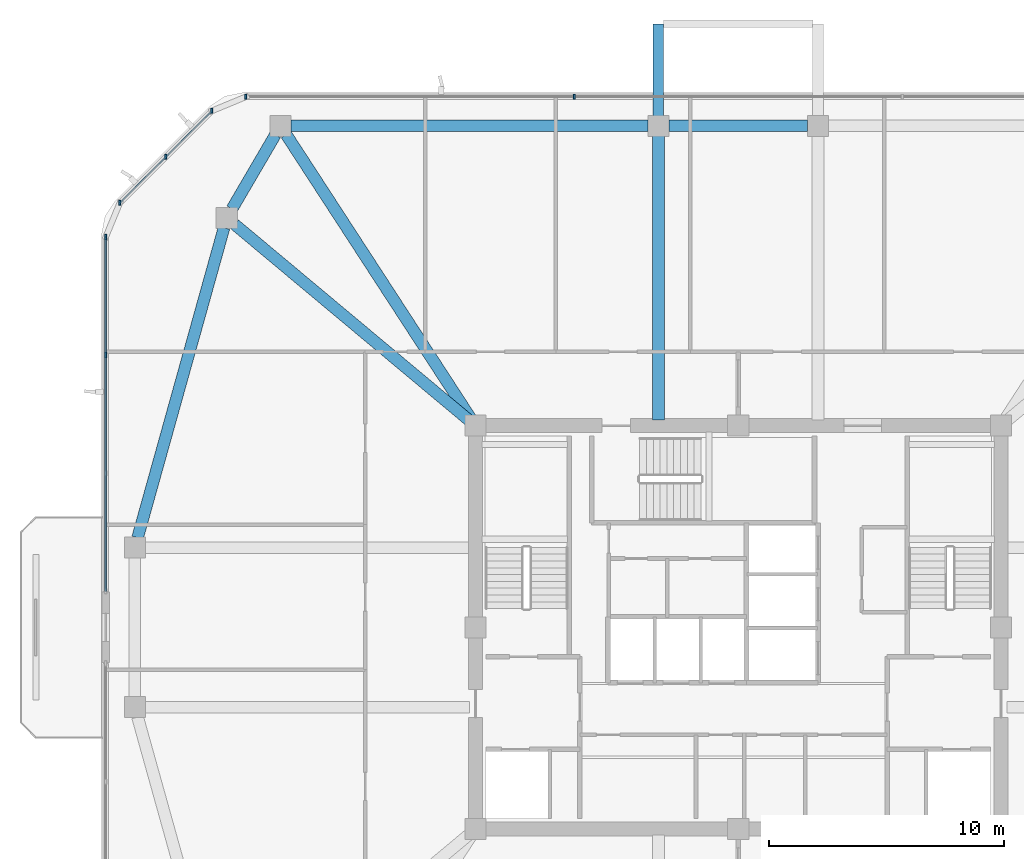
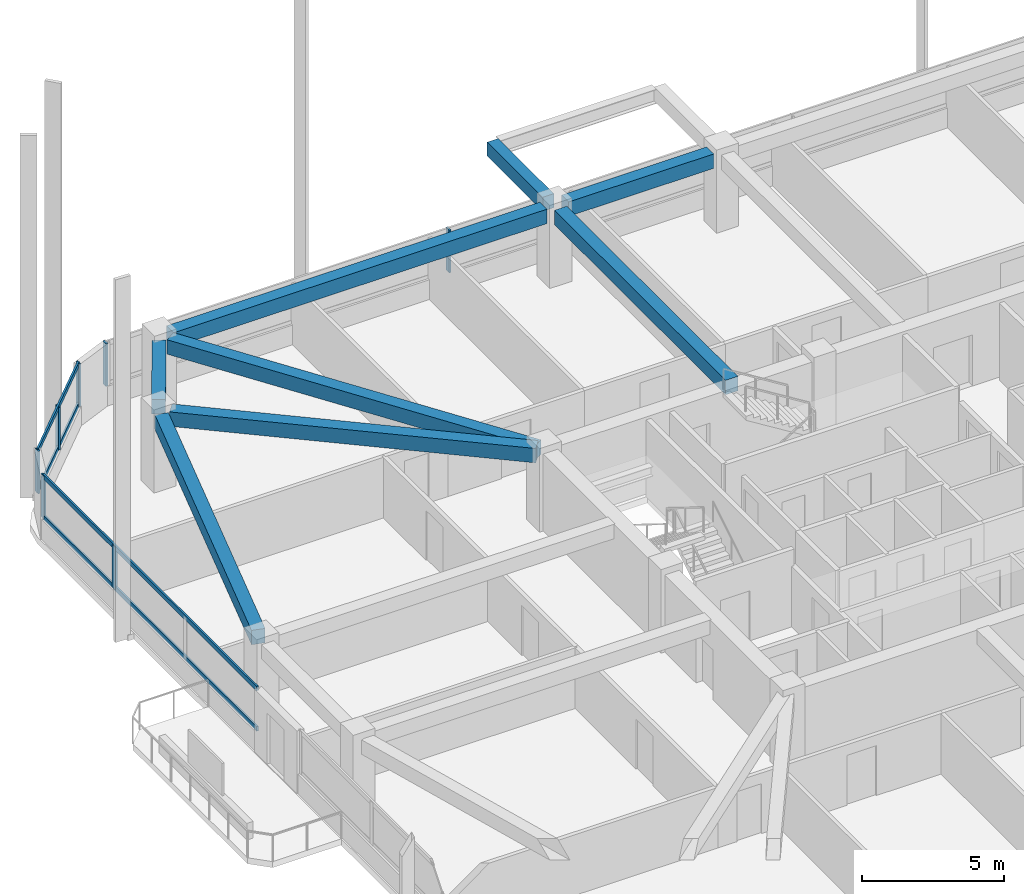
# One storey, part 6 of 17: 11 members, 8 beams, 3 elements without a shape of their own.
"""IFC4 building model written with IfcOpenShell, lengths in metres."""

from ifc_helpers import new_model, si_unit, derived_unit, direction, frame, origin, origin_2d, place, context, subcontext, project, spatial, rectangle, extrude, material, material_profile, profile_set, type_object, element, aggregate, save


model = new_model("IFC4")

# Units and contexts
model_context = context("Model", 3, precision=1e-05, world=origin(), true_north=direction((0.0, 1.0)))
body_context = subcontext(model_context, "Body", "Model", "MODEL_VIEW")
ifc_project = project(units=[si_unit("LENGTHUNIT", "METRE"), si_unit("AREAUNIT", "SQUARE_METRE"), si_unit("VOLUMEUNIT", "CUBIC_METRE"), si_unit("PLANEANGLEUNIT", "RADIAN"), si_unit("MASSUNIT", "GRAM", prefix="KILO"), derived_unit("THERMALTRANSMITTANCEUNIT", [(si_unit("POWERUNIT", "WATT"), 1), (si_unit("LENGTHUNIT", "METRE"), -2), (si_unit("THERMODYNAMICTEMPERATUREUNIT", "KELVIN"), -1)])], contexts=[model_context])

# Site, building, storey
site_placement = place(None, origin())
site = spatial("IfcSite", under=ifc_project, at=site_placement, CompositionType="ELEMENT")
building_placement = place(site_placement, origin())
building = spatial("IfcBuilding", under=site, at=building_placement, Name="Koralith Skygarden Medical Center", CompositionType="ELEMENT")
storey_placement = place(building_placement, frame((0.0, 0.0, 221.580078125)))
storey = spatial("IfcBuildingStorey", under=building, at=storey_placement, Name="L57", CompositionType="ELEMENT", Elevation=221.580078125)

# Curtain wall, members
ifc_material_1 = material(Name="Clear Laminated Glass", Category="glass")
curtain_wall_type = type_object("IfcCurtainWallType", Name="CW-5 Zone 4 Flare Biophilic Curtain Wall", PredefinedType="NOTDEFINED", material=ifc_material_1)
curtain_wall_1_placement = place(storey_placement, origin())
curtain_wall_1 = element("IfcCurtainWall", 1, at=curtain_wall_1_placement, inside=storey, type_object=curtain_wall_type, Name="Curtain Wall CW-L57-N", PredefinedType="NOTDEFINED")
ifc_material_2 = material(Name="Aluminium 6063-T6", Category="aluminium")
ifc_material_profile_1 = material_profile(ifc_material_2, rectangle(XDim=0.080078125, YDim=0.219970703125, at=origin_2d()), Name="MUL80X220")
ifc_profile_set_1 = profile_set([ifc_material_profile_1], Name="Aluminium 6063-T6")
member_type_1 = type_object("IfcMemberType", Name="CW-5 Extruded Mullion 80x220", PredefinedType="MULLION", material=ifc_profile_set_1)
member_1_placement = place(storey_placement, frame((30.00390625, 48.52001953125, 0.849853515625), z_axis=(0.0, 0.0, 1.0), x_axis=(1.0, 0.0, 0.0)))
member_1 = element("IfcMember", 2, at=member_1_placement, type_object=member_type_1, Name="CW-L57-N Mullion 3", PredefinedType="MULLION", context=body_context, shape_type="SweptSolid", body=[
    extrude(rectangle(XDim=0.080078125, YDim=0.219970703125, at=origin_2d()), origin(), (0.0, 0.0, 1.0), 1.840087890625),
])
member_2_placement = place(storey_placement, frame((16.012939453125, 48.52001953125, 0.849853515625), z_axis=(0.0, 0.0, 1.0), x_axis=(1.0, 0.0, 0.0)))
member_2 = element("IfcMember", 3, at=member_2_placement, type_object=member_type_1, Name="CW-L57-N Mullion 4", PredefinedType="MULLION", context=body_context, shape_type="SweptSolid", body=[
    extrude(rectangle(XDim=0.080078125, YDim=0.219970703125, at=origin_2d()), origin(), (0.0, 0.0, 1.0), 1.840087890625),
])
aggregate(curtain_wall_1, [member_1, member_2])

curtain_wall_2_placement = place(storey_placement, origin())
curtain_wall_2 = element("IfcCurtainWall", 4, at=curtain_wall_2_placement, inside=storey, type_object=curtain_wall_type, Name="Curtain Wall CW-L57-NW", PredefinedType="NOTDEFINED")
member_3_placement = place(storey_placement, frame((14.56201171875, 47.9189453125, 0.849853515625), z_axis=(0.0, 0.0, 1.0), x_axis=(1.0, 0.0, 0.0)))
member_3 = element("IfcMember", 5, at=member_3_placement, type_object=member_type_1, Name="CW-L57-NW Mullion 1", PredefinedType="MULLION", context=body_context, shape_type="SweptSolid", body=[
    extrude(rectangle(XDim=0.080078125, YDim=0.219970703125, at=origin_2d()), origin(), (0.0, 0.0, 1.0), 1.840087890625),
])
member_4_placement = place(storey_placement, frame((12.60107421875, 45.95703125, 0.849853515625), z_axis=(0.0, 0.0, 1.0), x_axis=(1.0, 0.0, 0.0)))
member_4 = element("IfcMember", 6, at=member_4_placement, type_object=member_type_1, Name="CW-L57-NW Mullion 2", PredefinedType="MULLION", context=body_context, shape_type="SweptSolid", body=[
    extrude(rectangle(XDim=0.080078125, YDim=0.219970703125, at=origin_2d()), origin(), (0.0, 0.0, 1.0), 1.840087890625),
])
member_5_placement = place(storey_placement, frame((10.638916015625, 43.99609375, 0.849853515625), z_axis=(0.0, 0.0, 1.0), x_axis=(1.0, 0.0, 0.0)))
member_5 = element("IfcMember", 7, at=member_5_placement, type_object=member_type_1, Name="CW-L57-NW Mullion 3", PredefinedType="MULLION", context=body_context, shape_type="SweptSolid", body=[
    extrude(rectangle(XDim=0.080078125, YDim=0.219970703125, at=origin_2d()), origin(), (0.0, 0.0, 1.0), 1.840087890625),
])

curtain_wall_3_placement = place(storey_placement, origin())
curtain_wall_3 = element("IfcCurtainWall", 8, at=curtain_wall_3_placement, inside=storey, type_object=curtain_wall_type, Name="Curtain Wall CW-L57-W-L", PredefinedType="NOTDEFINED")
member_6_placement = place(storey_placement, frame((10.0380859375, 42.544921875, 0.849853515625), z_axis=(0.0, 0.0, 1.0), x_axis=(1.0, 0.0, 0.0)))
member_6 = element("IfcMember", 9, at=member_6_placement, type_object=member_type_1, Name="CW-L57-W-L Mullion 1", PredefinedType="MULLION", context=body_context, shape_type="SweptSolid", body=[
    extrude(rectangle(XDim=0.080078125, YDim=0.219970703125, at=origin_2d()), origin(), (0.0, 0.0, 1.0), 1.840087890625),
])
member_7_placement = place(storey_placement, frame((10.0380859375, 37.510009765625, 0.849853515625), z_axis=(0.0, 0.0, 1.0), x_axis=(1.0, 0.0, 0.0)))
member_7 = element("IfcMember", 10, at=member_7_placement, type_object=member_type_1, Name="CW-L57-W-L Mullion 2", PredefinedType="MULLION", context=body_context, shape_type="SweptSolid", body=[
    extrude(rectangle(XDim=0.080078125, YDim=0.219970703125, at=origin_2d()), origin(), (0.0, 0.0, 1.0), 1.840087890625),
])

# Member
ifc_material_profile_2 = material_profile(ifc_material_2, rectangle(XDim=0.074951171875, YDim=0.197998046875, at=origin_2d()), Name="TRN75X198")
ifc_profile_set_2 = profile_set([ifc_material_profile_2], Name="Aluminium 6063-T6")
member_type_2 = type_object("IfcMemberType", Name="CW-5 Thermal Transom 75x198", PredefinedType="USERDEFINED", material=ifc_profile_set_2)
member_8_placement = place(storey_placement, frame((14.56201171875, 47.9189453125, 0.89990234375), z_axis=(-0.707128783731, -0.707084777957, 0.0), x_axis=(0.707084777957, -0.707128783731, 0.0)))
member_8 = element("IfcMember", 11, at=member_8_placement, type_object=member_type_2, Name="CW-L57-NW Transom 1", ObjectType="TRANSOM", PredefinedType="USERDEFINED", context=body_context, shape_type="SweptSolid", body=[
    extrude(rectangle(XDim=0.074951171875, YDim=0.197998046875, at=origin_2d()), origin(), (0.0, 0.0, 1.0), 5.5478515625),
])

member_9_placement = place(storey_placement, frame((14.56201171875, 47.9189453125, 2.639892578125), z_axis=(-0.707128783731, -0.707084777957, 0.0), x_axis=(0.707084777957, -0.707128783731, 0.0)))
member_9 = element("IfcMember", 12, at=member_9_placement, type_object=member_type_2, Name="CW-L57-NW Transom 2", ObjectType="TRANSOM", PredefinedType="USERDEFINED", context=body_context, shape_type="SweptSolid", body=[
    extrude(rectangle(XDim=0.074951171875, YDim=0.197998046875, at=origin_2d()), origin(), (0.0, 0.0, 1.0), 5.5478515625),
])

aggregate(curtain_wall_2, [member_3, member_4, member_5, member_8, member_9])

member_10_placement = place(storey_placement, frame((10.0380859375, 42.544921875, 0.89990234375), z_axis=(0.0, -1.0, 0.0), x_axis=(1.0, 0.0, 0.0)))
member_10 = element("IfcMember", 13, at=member_10_placement, type_object=member_type_2, Name="CW-L57-W-L Transom 1", ObjectType="TRANSOM", PredefinedType="USERDEFINED", context=body_context, shape_type="SweptSolid", body=[
    extrude(rectangle(XDim=0.074951171875, YDim=0.197998046875, at=origin_2d()), origin(), (0.0, 0.0, 1.0), 15.10498046875),
])

member_11_placement = place(storey_placement, frame((10.0380859375, 42.544921875, 2.639892578125), z_axis=(0.0, -1.0, 0.0), x_axis=(1.0, 0.0, 0.0)))
member_11 = element("IfcMember", 14, at=member_11_placement, type_object=member_type_2, Name="CW-L57-W-L Transom 2", ObjectType="TRANSOM", PredefinedType="USERDEFINED", context=body_context, shape_type="SweptSolid", body=[
    extrude(rectangle(XDim=0.074951171875, YDim=0.197998046875, at=origin_2d()), origin(), (0.0, 0.0, 1.0), 15.10498046875),
])

aggregate(curtain_wall_3, [member_6, member_7, member_10, member_11])

# Beams
ifc_material_3 = material(Name="Concrete C45/55", Category="concrete")
ifc_material_profile_3 = material_profile(ifc_material_3, rectangle(XDim=0.449951171875, YDim=0.60009765625, at=origin_2d()), Name="RCB450X600")
ifc_profile_set_3 = profile_set([ifc_material_profile_3], Name="Concrete C45/55")
beam_type_1 = type_object("IfcBeamType", Name="Planted Balcony Cantilever Beam RCB450X600", PredefinedType="BEAM", material=ifc_profile_set_3)
beam_1_placement = place(storey_placement, frame((33.60009765625, 47.7099609375, 3.0400390625), z_axis=(0.0, 1.0, 0.0), x_axis=(-1.0, 0.0, 0.0)))
element("IfcBeam", 15, at=beam_1_placement, inside=storey, type_object=beam_type_1, Name="L58 N Balcony Cantilever Beam A", PredefinedType="BEAM", context=body_context, shape_type="SweptSolid", body=[
    extrude(rectangle(XDim=0.449951171875, YDim=0.60009765625, at=origin_2d()), origin(), (0.0, 0.0, 1.0), 3.919921875),
])
ifc_material_profile_4 = material_profile(ifc_material_3, rectangle(XDim=0.5, YDim=0.6201171875, at=origin_2d()), Name="RCB500X620")
ifc_profile_set_4 = profile_set([ifc_material_profile_4], Name="Concrete C45/55")
beam_type_2 = type_object("IfcBeamType", Name="Upper Radial Collector Beam RCB500X620", PredefinedType="BEAM", material=ifc_profile_set_4)
beam_2_placement = place(storey_placement, frame((33.60009765625, 34.75, 3.010009765625), z_axis=(0.0, 1.0, 0.0), x_axis=(-1.0, 0.0, 0.0)))
element("IfcBeam", 16, at=beam_2_placement, inside=storey, type_object=beam_type_2, Name="L57 Radial Collector Beam RB-13", PredefinedType="BEAM", context=body_context, shape_type="SweptSolid", body=[
    extrude(rectangle(XDim=0.5, YDim=0.6201171875, at=origin_2d()), origin(), (0.0, 0.0, 1.0), 12.090087890625),
])
beam_3_placement = place(storey_placement, frame((25.6640625, 34.7099609375, 3.010009765625), z_axis=(-0.545156385215, 0.838334369842, 0.0), x_axis=(-0.838334369842, -0.545156385215, 0.0)))
element("IfcBeam", 17, at=beam_3_placement, inside=storey, type_object=beam_type_2, Name="L57 Radial Collector Beam RB-14", PredefinedType="BEAM", context=body_context, shape_type="SweptSolid", body=[
    extrude(rectangle(XDim=0.5, YDim=0.6201171875, at=origin_2d()), origin(), (0.0, 0.0, 1.0), 14.5537109375),
])
beam_4_placement = place(storey_placement, frame((25.60791015625, 34.659912109375, 3.010009765625), z_axis=(-0.767298159165, 0.64129052304, 0.0), x_axis=(-0.64129052304, -0.767298159165, 0.0)))
element("IfcBeam", 18, at=beam_4_placement, inside=storey, type_object=beam_type_2, Name="L57 Radial Collector Beam RB-15", PredefinedType="BEAM", context=body_context, shape_type="SweptSolid", body=[
    extrude(rectangle(XDim=0.5, YDim=0.6201171875, at=origin_2d()), origin(), (0.0, 0.0, 1.0), 13.126708984375),
])
ifc_material_profile_5 = material_profile(ifc_material_3, rectangle(XDim=0.5, YDim=0.6201171875, at=origin_2d()), Name="RCB500X620")
ifc_profile_set_5 = profile_set([ifc_material_profile_5], Name="Concrete C45/55")
beam_type_3 = type_object("IfcBeamType", Name="Zone 4-5 Spandrel Beam RCB500X620", PredefinedType="SPANDREL", material=ifc_profile_set_5)
beam_5_placement = place(storey_placement, frame((39.9599609375, 47.280029296875, 3.010009765625), z_axis=(-1.0, 0.0, 0.0), x_axis=(0.0, -1.0, 0.0)))
element("IfcBeam", 19, at=beam_5_placement, inside=storey, type_object=beam_type_3, Name="L57 Perimeter Spandrel Beam SP-12", PredefinedType="SPANDREL", context=body_context, shape_type="SweptSolid", body=[
    extrude(rectangle(XDim=0.5, YDim=0.6201171875, at=origin_2d()), origin(), (0.0, 0.0, 1.0), 5.919921875),
])
beam_6_placement = place(storey_placement, frame((33.159912109375, 47.280029296875, 3.010009765625), z_axis=(-1.0, 0.0, 0.0), x_axis=(0.0, -1.0, 0.0)))
element("IfcBeam", 20, at=beam_6_placement, inside=storey, type_object=beam_type_3, Name="L57 Perimeter Spandrel Beam SP-13", PredefinedType="SPANDREL", context=body_context, shape_type="SweptSolid", body=[
    extrude(rectangle(XDim=0.5, YDim=0.6201171875, at=origin_2d()), origin(), (0.0, 0.0, 1.0), 15.22998046875),
])
beam_7_placement = place(storey_placement, frame((17.26806640625, 46.89990234375, 3.010009765625), z_axis=(-0.504861750403, -0.863200216045, 0.0), x_axis=(0.863200216045, -0.504861750403, 0.0)))
element("IfcBeam", 21, at=beam_7_placement, inside=storey, type_object=beam_type_3, Name="L57 Perimeter Spandrel Beam SP-14", PredefinedType="SPANDREL", context=body_context, shape_type="SweptSolid", body=[
    extrude(rectangle(XDim=0.5, YDim=0.6201171875, at=origin_2d()), origin(), (0.0, 0.0, 1.0), 3.66064453125),
])
beam_8_placement = place(storey_placement, frame((15.080078125, 42.93603515625, 3.010009765625), z_axis=(-0.26859849356, -0.96325222515, 0.0), x_axis=(0.96325222515, -0.26859849356, 0.0)))
element("IfcBeam", 22, at=beam_8_placement, inside=storey, type_object=beam_type_3, Name="L57 Perimeter Spandrel Beam SP-15", PredefinedType="SPANDREL", context=body_context, shape_type="SweptSolid", body=[
    extrude(rectangle(XDim=0.5, YDim=0.6201171875, at=origin_2d()), origin(), (0.0, 0.0, 1.0), 13.716064453125),
])

save(model, "model.ifc")
